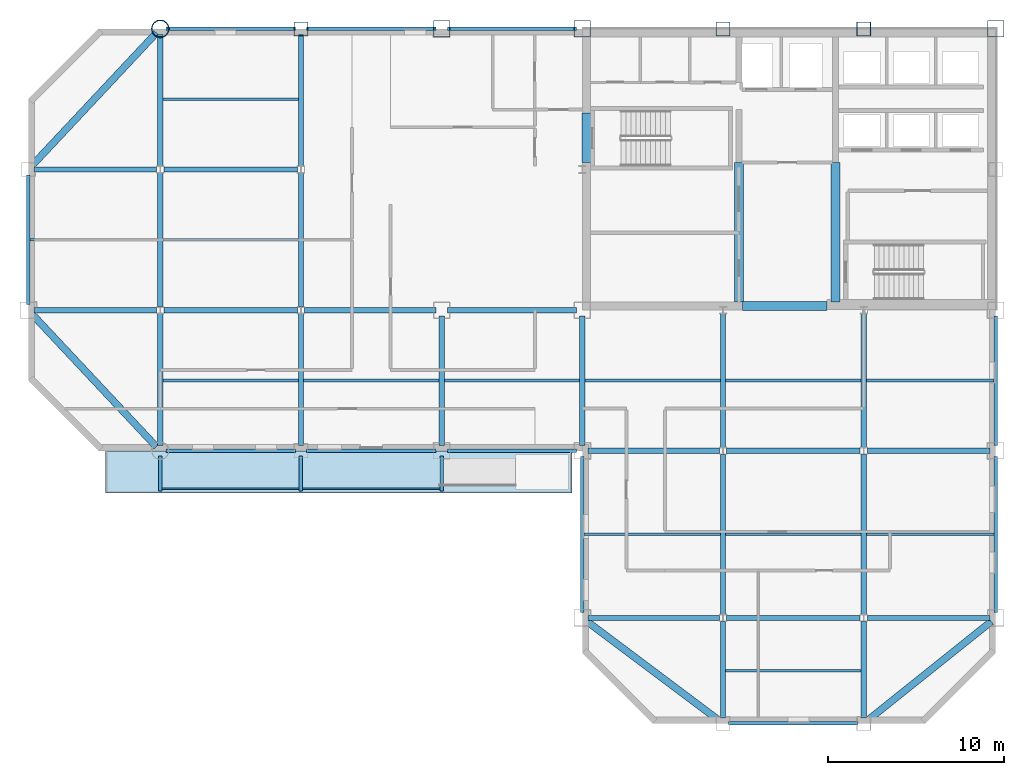
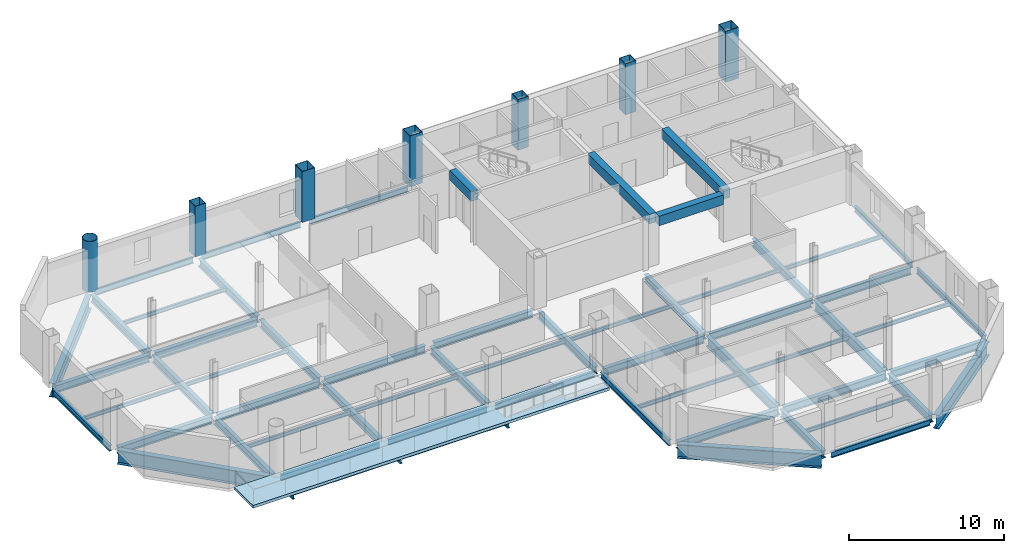
# One storey, part 3 of 10: 63 beams, 7 columns, 1 slab.
"""IFC4 building model written with IfcOpenShell, lengths in metres."""

import ifcopenshell
import ifcopenshell.guid

model = None  # the IFC model being written
_history = None  # IfcOwnerHistory: only IFC2X3 demands one
_inside = {}  # id of a spatial element -> (the spatial element, [elements in it])
_under = {}  # id of a project, library or spatial element -> (it, [spatial elements below it])
_declared = {}  # id of a project -> (the project, [libraries it declares])
_typed = {}  # id of a type object -> (the type object, [elements of that type])
_made_of = {}  # id of a material, layer set ... -> (it, [elements and type objects made of it])


def new_model(schema):
    """Start an empty IFC model of exactly this schema.

    Asked for "IFC4X3", IfcOpenShell would pick the latest addendum, in which some entities
    have other attributes; the version numbers below select the first issue.
    IFC2X3 requires an IfcOwnerHistory on every rooted entity: one is made here for all.
    """
    global model, _history
    if schema == "IFC4X3":
        model = ifcopenshell.file(schema_version=(4, 3, 0, 0))
    else:
        model = ifcopenshell.file(schema=schema)
    _inside.clear()
    _under.clear()
    _declared.clear()
    _typed.clear()
    _made_of.clear()
    _history = None
    if model.schema == "IFC2X3":
        org = make("IfcOrganization", Name="unknown")
        user = make(
            "IfcPersonAndOrganization",
            ThePerson=make("IfcPerson", FamilyName="unknown"),
            TheOrganization=org,
        )
        app = make(
            "IfcApplication",
            ApplicationDeveloper=org,
            Version="unknown",
            ApplicationFullName="unknown",
            ApplicationIdentifier="unknown",
        )
        _history = make(
            "IfcOwnerHistory",
            OwningUser=user,
            OwningApplication=app,
            ChangeAction="ADDED",
            CreationDate=0,
        )
    return model


def make(cls, **values):
    """One entity of the class cls with the attributes given. An attribute that is None is left unset."""
    return model.create_entity(
        cls, **{name: value for name, value in values.items() if value is not None}
    )


def rooted(cls, **values):
    """An entity with a GlobalId (a new one), such as an element, a storey or a relation."""
    return make(cls, GlobalId=ifcopenshell.guid.new(), OwnerHistory=_history, **values)


def si_unit(unit_type, name, prefix=None):
    """IfcSIUnit, for example si_unit("LENGTHUNIT", "METRE", prefix="MILLI")."""
    return make("IfcSIUnit", UnitType=unit_type, Prefix=prefix, Name=name)


def assignment(units):
    """IfcUnitAssignment: the units of a project."""
    return None if units is None else make("IfcUnitAssignment", Units=units)


def point(xyz):
    """IfcCartesianPoint."""
    return None if xyz is None else make("IfcCartesianPoint", Coordinates=xyz)


def direction(xyz):
    """IfcDirection."""
    return None if xyz is None else make("IfcDirection", DirectionRatios=xyz)


def frame(location, z_axis=None, x_axis=None):
    """IfcAxis2Placement3D, a coordinate frame: its origin and axes. An axis left out is left unset."""
    return make(
        "IfcAxis2Placement3D",
        Location=point(location),
        Axis=direction(z_axis),
        RefDirection=direction(x_axis),
    )


def frame_2d(location, x_axis=None):
    """IfcAxis2Placement2D, a coordinate frame in the plane: its origin and x axis."""
    return make(
        "IfcAxis2Placement2D", Location=point(location), RefDirection=direction(x_axis)
    )


def origin():
    """The frame at (0, 0, 0) with its axes left unset."""
    return frame((0.0, 0.0, 0.0))


def origin_2d():
    """The frame at (0, 0) in the plane with its x axis left unset."""
    return frame_2d((0.0, 0.0))


def place(relative_to, where):
    """IfcLocalPlacement: puts the frame where relative to a parent placement (None: the world)."""
    return make(
        "IfcLocalPlacement", PlacementRelTo=relative_to, RelativePlacement=where
    )


def context(
    kind, dimensions, precision=None, world=None, true_north=None, identifier=None
):
    """IfcGeometricRepresentationContext, for example the 3D "Model" context."""
    return make(
        "IfcGeometricRepresentationContext",
        ContextIdentifier=identifier,
        ContextType=kind,
        CoordinateSpaceDimension=dimensions,
        Precision=precision,
        WorldCoordinateSystem=world,
        TrueNorth=true_north,
    )


def subcontext(parent, identifier, kind, view, scale=None):
    """IfcGeometricRepresentationSubContext, for example "Body" below "Model"."""
    return make(
        "IfcGeometricRepresentationSubContext",
        ContextIdentifier=identifier,
        ContextType=kind,
        ParentContext=parent,
        TargetScale=scale,
        TargetView=view,
    )


def project(units=None, contexts=None):
    """IfcProject with its units and contexts."""
    return rooted(
        "IfcProject",
        Name="project",
        RepresentationContexts=contexts,
        UnitsInContext=assignment(units),
    )


def spatial(cls, under=None, at=None, **own):
    """A site, building, storey or space (cls), placed at a placement, below another one or the project."""
    s = rooted(cls, ObjectPlacement=at, **own)
    if under is not None:
        _under.setdefault(under.id(), (under, []))[1].append(s)
    return s


def polyline(points):
    """IfcPolyline through the points."""
    return make("IfcPolyline", Points=[point(p) for p in points])


def profile(cls, at=None, kind="AREA", **sizes):
    """A parametric profile (cls). Its sizes go by their IFC names, for example OverallWidth=200.0."""
    return make(cls, ProfileType=kind, Position=at, **sizes)


def rectangle(**sizes):
    """IfcRectangleProfileDef."""
    return profile("IfcRectangleProfileDef", **sizes)


def hollow_rectangle(**sizes):
    """IfcRectangleHollowProfileDef."""
    return profile("IfcRectangleHollowProfileDef", **sizes)


def hollow_circle(**sizes):
    """IfcCircleHollowProfileDef."""
    return profile("IfcCircleHollowProfileDef", **sizes)


def i_section(**sizes):
    """IfcIShapeProfileDef."""
    return profile("IfcIShapeProfileDef", **sizes)


def outline(outer, holes=None, kind="AREA"):
    """IfcArbitraryClosedProfileDef: a profile drawn as a closed curve; with holes, ...WithVoids."""
    if holes is None:
        return make("IfcArbitraryClosedProfileDef", ProfileType=kind, OuterCurve=outer)
    return make(
        "IfcArbitraryProfileDefWithVoids",
        ProfileType=kind,
        OuterCurve=outer,
        InnerCurves=holes,
    )


def extrude(swept, where, along, depth):
    """IfcExtrudedAreaSolid: the profile swept, set in the frame where, extruded along a direction by depth."""
    return make(
        "IfcExtrudedAreaSolid",
        SweptArea=swept,
        Position=where,
        ExtrudedDirection=direction(along),
        Depth=depth,
    )


def shape(context_of_items, identifier, shape_type, items):
    """IfcShapeRepresentation: the items that make up one representation, for example the "Body"."""
    return make(
        "IfcShapeRepresentation",
        ContextOfItems=context_of_items,
        RepresentationIdentifier=identifier,
        RepresentationType=shape_type,
        Items=items,
    )


def material(Name=None, Category=None):
    """IfcMaterial."""
    return make("IfcMaterial", Name=Name, Category=Category)


def layer(
    of_material, thickness, ventilated=None, Name=None, Category=None, Priority=None
):
    """IfcMaterialLayer: one layer of a wall or slab, of a material (None: an air gap)."""
    return make(
        "IfcMaterialLayer",
        Material=of_material,
        LayerThickness=thickness,
        IsVentilated=ventilated,
        Name=Name,
        Category=Category,
        Priority=Priority,
    )


def layer_set(layers, Name=None):
    """IfcMaterialLayerSet."""
    return make("IfcMaterialLayerSet", MaterialLayers=layers, LayerSetName=Name)


def material_profile(
    of_material, cross_section, Name=None, Category=None, Priority=None
):
    """IfcMaterialProfile: a cross section and its material."""
    return make(
        "IfcMaterialProfile",
        Name=Name,
        Material=of_material,
        Profile=cross_section,
        Priority=Priority,
        Category=Category,
    )


def profile_set(profiles, Name=None, composite=None):
    """IfcMaterialProfileSet."""
    return make(
        "IfcMaterialProfileSet",
        Name=Name,
        MaterialProfiles=profiles,
        CompositeProfile=composite,
    )


def made_of(thing, what):
    """Note that an element or type object is made of a material, layer set ...; save() writes the relation."""
    if what is not None:
        _made_of.setdefault(what.id(), (what, []))[1].append(thing)
    return thing


def type_object(cls, material=None, **own):
    """A type object (cls), such as IfcWallType, which elements share."""
    return made_of(rooted(cls, **own), material)


def element(
    cls,
    number,
    at=None,
    inside=None,
    cuts=None,
    type_object=None,
    material=None,
    context=None,
    identifier="Body",
    shape_type=None,
    held_by="IfcProductDefinitionShape",
    body=None,
    shapes=None,
    **own,
):
    """One element of the class cls, such as IfcWall. Its Tag is "e" and its number.

    at: its placement. inside: the storey or other place that contains it. cuts: it is an
    opening in that element (IfcRelVoidsElement). A single representation is given by context,
    identifier, shape_type and body (its items); several are given by shapes. held_by: the class
    of the entity that holds the representations. save() writes the other relations.
    """
    e = rooted(cls, Tag="e%d" % number, ObjectPlacement=at, **own)
    if body is not None:
        shapes = [shape(context, identifier, shape_type, body)]
    if shapes is not None:
        e.Representation = make(held_by, Representations=shapes)
    if inside is not None:
        _inside.setdefault(inside.id(), (inside, []))[1].append(e)
    if cuts is not None:
        rooted(
            "IfcRelVoidsElement", RelatingBuildingElement=cuts, RelatedOpeningElement=e
        )
    if type_object is not None:
        _typed.setdefault(type_object.id(), (type_object, []))[1].append(e)
    return made_of(e, material)


def aggregate(whole, parts):
    """IfcRelAggregates: a whole, such as a stair, and the parts it consists of."""
    return rooted("IfcRelAggregates", RelatingObject=whole, RelatedObjects=parts)


def save(model, path):
    """Write the relations noted so far, then the file.

    IfcRelAggregates (storeys below a building ...), IfcRelContainedInSpatialStructure (elements
    in a storey), IfcRelDefinesByType, IfcRelAssociatesMaterial and IfcRelDeclares: one each for
    every whole, place, type object, material and project.
    """
    for whole, parts in _under.values():
        aggregate(whole, parts)
    for where, things in _inside.values():
        rooted(
            "IfcRelContainedInSpatialStructure",
            RelatedElements=things,
            RelatingStructure=where,
        )
    for kind, things in _typed.values():
        rooted("IfcRelDefinesByType", RelatedObjects=things, RelatingType=kind)
    for what, things in _made_of.values():
        rooted("IfcRelAssociatesMaterial", RelatedObjects=things, RelatingMaterial=what)
    for by, libraries in _declared.values():
        rooted("IfcRelDeclares", RelatingContext=by, RelatedDefinitions=libraries)
    model.write(path)


model = new_model("IFC4")

# Units and contexts
model_context = context("Model", 3, precision=1e-05, world=origin(), true_north=direction((0.0, 1.0)))
body_context = subcontext(model_context, "Body", "Model", "MODEL_VIEW")
ifc_project = project(units=[si_unit("LENGTHUNIT", "METRE"), si_unit("AREAUNIT", "SQUARE_METRE"), si_unit("VOLUMEUNIT", "CUBIC_METRE"), si_unit("PLANEANGLEUNIT", "RADIAN"), si_unit("MASSUNIT", "GRAM", prefix="KILO")], contexts=[model_context])

# Site, building, storey
site_placement = place(None, origin())
site = spatial("IfcSite", under=ifc_project, at=site_placement, CompositionType="ELEMENT")
building_placement = place(site_placement, origin())
building = spatial("IfcBuilding", under=site, at=building_placement, Name="Qianrong Seaharbour Tower", CompositionType="ELEMENT")
storey_placement = place(building_placement, frame((0.0, 0.0, 237.800048828125)))
storey = spatial("IfcBuildingStorey", under=building, at=storey_placement, Name="L57", CompositionType="ELEMENT", Elevation=237.800048828125)

# Columns
ifc_material_1 = material(Name="Structural steel SN490B", Category="steel")
ifc_material_profile_1 = material_profile(ifc_material_1, hollow_rectangle(XDim=0.949951171875, YDim=0.949951171875, WallThickness=0.035888671875, at=origin_2d()), Name="BOX950x950x36")
ifc_profile_set_1 = profile_set([ifc_material_profile_1], Name="Structural steel SN490B")
column_type_1 = type_object("IfcColumnType", Name="COL-CFT-950", PredefinedType="COLUMN", material=ifc_profile_set_1)
for number, where, z_axis, x_axis, name in (
    (1, (32.5, 52.0, 0.0), (0.0, 0.0, 1.0), (1.0, 0.0, 0.0), "L57 Column MC-4 at G5/GH"),
    (2, (40.5, 52.0, 0.0), (0.0, 0.0, 1.0), (1.0, 0.0, 0.0), "L57 Column MC-4 at G6/GH"),
    (3, (64.0, 52.0, 0.0), (0.0, 0.0, 1.0), (1.0, 0.0, 0.0), "L57 Column MC-4 at G9/GH"),
):
    element("IfcColumn", number, at=place(storey_placement, frame(where, z_axis=z_axis, x_axis=x_axis)), inside=storey, type_object=column_type_1, Name=name, PredefinedType="COLUMN", context=body_context, shape_type="SweptSolid", body=[
        extrude(hollow_rectangle(XDim=0.949951171875, YDim=0.949951171875, WallThickness=0.035888671875, at=origin_2d()), origin(), (0.0, 0.0, 1.0), 4.0),
    ])
ifc_material_profile_2 = material_profile(ifc_material_1, hollow_circle(Radius=0.5, WallThickness=0.035888671875, at=origin_2d()), Name="CHS1000x36")
ifc_profile_set_2 = profile_set([ifc_material_profile_2], Name="Structural steel SN490B")
column_type_2 = type_object("IfcColumnType", Name="COL-CHS-1000", PredefinedType="COLUMN", material=ifc_profile_set_2)
column_placement = place(storey_placement, frame((16.5, 52.0, 0.0), z_axis=(0.0, 0.0, 1.0), x_axis=(1.0, 0.0, 0.0)))
element("IfcColumn", 4, at=column_placement, inside=storey, type_object=column_type_2, Name="L57 Column CC-2 at G3/GH", PredefinedType="COLUMN", context=body_context, shape_type="SweptSolid", body=[
    extrude(hollow_circle(Radius=0.5, WallThickness=0.035888671875, at=origin_2d()), origin(), (0.0, 0.0, 1.0), 4.0),
])
ifc_material_profile_3 = material_profile(ifc_material_1, hollow_rectangle(XDim=0.800048828125, YDim=0.800048828125, WallThickness=0.031982421875, at=origin_2d()), Name="BOX800x800x32")
ifc_profile_set_3 = profile_set([ifc_material_profile_3], Name="Structural steel SN490B")
column_type_3 = type_object("IfcColumnType", Name="COL-PER-800", PredefinedType="COLUMN", material=ifc_profile_set_3)
for number, where, z_axis, x_axis, name in (
    (5, (24.5, 52.0, 0.0), (0.0, 0.0, 1.0), (1.0, 0.0, 0.0), "L57 Column PC-3 at G4/GH"),
    (6, (48.5, 52.0, 0.0), (0.0, 0.0, 1.0), (1.0, 0.0, 0.0), "L57 Column PC-3 at G7/GH"),
    (7, (56.5, 52.0, 0.0), (0.0, 0.0, 1.0), (1.0, 0.0, 0.0), "L57 Column PC-3 at G8/GH"),
):
    element("IfcColumn", number, at=place(storey_placement, frame(where, z_axis=z_axis, x_axis=x_axis)), inside=storey, type_object=column_type_3, Name=name, PredefinedType="COLUMN", context=body_context, shape_type="SweptSolid", body=[
        extrude(hollow_rectangle(XDim=0.800048828125, YDim=0.800048828125, WallThickness=0.031982421875, at=origin_2d()), origin(), (0.0, 0.0, 1.0), 4.0),
    ])

# Beams
ifc_material_profile_4 = material_profile(ifc_material_1, i_section(OverallWidth=0.300048828125, OverallDepth=0.587890625, WebThickness=0.011962890625, FlangeThickness=0.02001953125, FilletRadius=0.02392578125, at=origin_2d()), Name="H588x300x12x20")
ifc_profile_set_4 = profile_set([ifc_material_profile_4], Name="Structural steel SN490B")
beam_type_1 = type_object("IfcBeamType", Name="BM-G-588", PredefinedType="BEAM", material=ifc_profile_set_4)
beam_1_placement = place(storey_placement, frame((40.820068359375, 18.5, -0.51904296875), z_axis=(1.0, 0.0, 0.0), x_axis=(0.0, 1.0, 0.0)))
element("IfcBeam", 8, at=beam_1_placement, inside=storey, type_object=beam_type_1, Name="L57 Primary Girder GD G6-G7", PredefinedType="BEAM", context=body_context, shape_type="SweptSolid", body=[
    extrude(i_section(OverallWidth=0.300048828125, OverallDepth=0.587890625, WebThickness=0.011962890625, FlangeThickness=0.02001953125, FilletRadius=0.02392578125, at=origin_2d()), origin(), (0.0, 0.0, 1.0), 7.47998046875),
])
beam_2_placement = place(storey_placement, frame((48.699951171875, 18.5, -0.51904296875), z_axis=(1.0, 0.0, 0.0), x_axis=(0.0, 1.0, 0.0)))
element("IfcBeam", 9, at=beam_2_placement, inside=storey, type_object=beam_type_1, Name="L57 Primary Girder GD G7-G8", PredefinedType="BEAM", context=body_context, shape_type="SweptSolid", body=[
    extrude(i_section(OverallWidth=0.300048828125, OverallDepth=0.587890625, WebThickness=0.011962890625, FlangeThickness=0.02001953125, FilletRadius=0.02392578125, at=origin_2d()), origin(), (0.0, 0.0, 1.0), 7.60009765625),
])
beam_3_placement = place(storey_placement, frame((56.699951171875, 18.5, -0.51904296875), z_axis=(1.0, 0.0, 0.0), x_axis=(0.0, 1.0, 0.0)))
element("IfcBeam", 10, at=beam_3_placement, inside=storey, type_object=beam_type_1, Name="L57 Primary Girder GD G8-G9", PredefinedType="BEAM", context=body_context, shape_type="SweptSolid", body=[
    extrude(i_section(OverallWidth=0.300048828125, OverallDepth=0.587890625, WebThickness=0.011962890625, FlangeThickness=0.02001953125, FilletRadius=0.02392578125, at=origin_2d()), origin(), (0.0, 0.0, 1.0), 6.97998046875),
])
beam_4_placement = place(storey_placement, frame((40.820068359375, 28.0, -0.51904296875), z_axis=(1.0, 0.0, 0.0), x_axis=(0.0, 1.0, 0.0)))
element("IfcBeam", 11, at=beam_4_placement, inside=storey, type_object=beam_type_1, Name="L57 Primary Girder GE G6-G7", PredefinedType="BEAM", context=body_context, shape_type="SweptSolid", body=[
    extrude(i_section(OverallWidth=0.300048828125, OverallDepth=0.587890625, WebThickness=0.011962890625, FlangeThickness=0.02001953125, FilletRadius=0.02392578125, at=origin_2d()), origin(), (0.0, 0.0, 1.0), 7.47998046875),
])
beam_5_placement = place(storey_placement, frame((48.699951171875, 28.0, -0.51904296875), z_axis=(1.0, 0.0, 0.0), x_axis=(0.0, 1.0, 0.0)))
element("IfcBeam", 12, at=beam_5_placement, inside=storey, type_object=beam_type_1, Name="L57 Primary Girder GE G7-G8", PredefinedType="BEAM", context=body_context, shape_type="SweptSolid", body=[
    extrude(i_section(OverallWidth=0.300048828125, OverallDepth=0.587890625, WebThickness=0.011962890625, FlangeThickness=0.02001953125, FilletRadius=0.02392578125, at=origin_2d()), origin(), (0.0, 0.0, 1.0), 7.60009765625),
])
for number, where, z_axis, x_axis, name in (
    (13, (56.699951171875, 28.0, -0.51904296875), (1.0, 0.0, 0.0), (0.0, 1.0, 0.0), "L57 Primary Girder GE G8-G9"),
    (14, (9.320068359375, 36.0, -0.51904296875), (1.0, 0.0, 0.0), (0.0, 1.0, 0.0), "L57 Primary Girder GF G2-G3"),
):
    element("IfcBeam", number, at=place(storey_placement, frame(where, z_axis=z_axis, x_axis=x_axis)), inside=storey, type_object=beam_type_1, Name=name, PredefinedType="BEAM", context=body_context, shape_type="SweptSolid", body=[
        extrude(i_section(OverallWidth=0.300048828125, OverallDepth=0.587890625, WebThickness=0.011962890625, FlangeThickness=0.02001953125, FilletRadius=0.02392578125, at=origin_2d()), origin(), (0.0, 0.0, 1.0), 6.97998046875),
    ])
beam_6_placement = place(storey_placement, frame((16.699951171875, 36.0, -0.51904296875), z_axis=(1.0, 0.0, 0.0), x_axis=(0.0, 1.0, 0.0)))
element("IfcBeam", 15, at=beam_6_placement, inside=storey, type_object=beam_type_1, Name="L57 Primary Girder GF G3-G4", PredefinedType="BEAM", context=body_context, shape_type="SweptSolid", body=[
    extrude(i_section(OverallWidth=0.300048828125, OverallDepth=0.587890625, WebThickness=0.011962890625, FlangeThickness=0.02001953125, FilletRadius=0.02392578125, at=origin_2d()), origin(), (0.0, 0.0, 1.0), 7.60009765625),
])
beam_7_placement = place(storey_placement, frame((24.699951171875, 36.0, -0.51904296875), z_axis=(1.0, 0.0, 0.0), x_axis=(0.0, 1.0, 0.0)))
element("IfcBeam", 16, at=beam_7_placement, inside=storey, type_object=beam_type_1, Name="L57 Primary Girder GF G4-G5", PredefinedType="BEAM", context=body_context, shape_type="SweptSolid", body=[
    extrude(i_section(OverallWidth=0.300048828125, OverallDepth=0.587890625, WebThickness=0.011962890625, FlangeThickness=0.02001953125, FilletRadius=0.02392578125, at=origin_2d()), origin(), (0.0, 0.0, 1.0), 7.47998046875),
])
beam_8_placement = place(storey_placement, frame((32.820068359375, 36.0, -0.51904296875), z_axis=(1.0, 0.0, 0.0), x_axis=(0.0, 1.0, 0.0)))
element("IfcBeam", 17, at=beam_8_placement, inside=storey, type_object=beam_type_1, Name="L57 Primary Girder GF G5-G6", PredefinedType="BEAM", context=body_context, shape_type="SweptSolid", body=[
    extrude(i_section(OverallWidth=0.300048828125, OverallDepth=0.587890625, WebThickness=0.011962890625, FlangeThickness=0.02001953125, FilletRadius=0.02392578125, at=origin_2d()), origin(), (0.0, 0.0, 1.0), 7.35986328125),
])
beam_9_placement = place(storey_placement, frame((9.320068359375, 44.0, -0.51904296875), z_axis=(1.0, 0.0, 0.0), x_axis=(0.0, 1.0, 0.0)))
element("IfcBeam", 18, at=beam_9_placement, inside=storey, type_object=beam_type_1, Name="L57 Primary Girder GG G2-G3", PredefinedType="BEAM", context=body_context, shape_type="SweptSolid", body=[
    extrude(i_section(OverallWidth=0.300048828125, OverallDepth=0.587890625, WebThickness=0.011962890625, FlangeThickness=0.02001953125, FilletRadius=0.02392578125, at=origin_2d()), origin(), (0.0, 0.0, 1.0), 6.97998046875),
])
beam_10_placement = place(storey_placement, frame((16.699951171875, 44.0, -0.51904296875), z_axis=(1.0, 0.0, 0.0), x_axis=(0.0, 1.0, 0.0)))
element("IfcBeam", 19, at=beam_10_placement, inside=storey, type_object=beam_type_1, Name="L57 Primary Girder GG G3-G4", PredefinedType="BEAM", context=body_context, shape_type="SweptSolid", body=[
    extrude(i_section(OverallWidth=0.300048828125, OverallDepth=0.587890625, WebThickness=0.011962890625, FlangeThickness=0.02001953125, FilletRadius=0.02392578125, at=origin_2d()), origin(), (0.0, 0.0, 1.0), 7.60009765625),
])
beam_11_placement = place(storey_placement, frame((16.5, 28.320068359375, -0.51904296875), z_axis=(0.0, 1.0, 0.0), x_axis=(-1.0, 0.0, 0.0)))
element("IfcBeam", 20, at=beam_11_placement, inside=storey, type_object=beam_type_1, Name="L57 Primary Girder G3 GE-GF", PredefinedType="BEAM", context=body_context, shape_type="SweptSolid", body=[
    extrude(i_section(OverallWidth=0.300048828125, OverallDepth=0.587890625, WebThickness=0.011962890625, FlangeThickness=0.02001953125, FilletRadius=0.02392578125, at=origin_2d()), origin(), (0.0, 0.0, 1.0), 7.47998046875),
])
beam_12_placement = place(storey_placement, frame((16.5, 36.199951171875, -0.51904296875), z_axis=(0.0, 1.0, 0.0), x_axis=(-1.0, 0.0, 0.0)))
element("IfcBeam", 21, at=beam_12_placement, inside=storey, type_object=beam_type_1, Name="L57 Primary Girder G3 GF-GG", PredefinedType="BEAM", context=body_context, shape_type="SweptSolid", body=[
    extrude(i_section(OverallWidth=0.300048828125, OverallDepth=0.587890625, WebThickness=0.011962890625, FlangeThickness=0.02001953125, FilletRadius=0.02392578125, at=origin_2d()), origin(), (0.0, 0.0, 1.0), 7.60009765625),
])
for number, where, z_axis, x_axis, name in (
    (22, (16.5, 44.199951171875, -0.51904296875), (0.0, 1.0, 0.0), (-1.0, 0.0, 0.0), "L57 Primary Girder G3 GG-GH"),
    (23, (24.5, 28.320068359375, -0.51904296875), (0.0, 1.0, 0.0), (-1.0, 0.0, 0.0), "L57 Primary Girder G4 GE-GF"),
):
    element("IfcBeam", number, at=place(storey_placement, frame(where, z_axis=z_axis, x_axis=x_axis)), inside=storey, type_object=beam_type_1, Name=name, PredefinedType="BEAM", context=body_context, shape_type="SweptSolid", body=[
        extrude(i_section(OverallWidth=0.300048828125, OverallDepth=0.587890625, WebThickness=0.011962890625, FlangeThickness=0.02001953125, FilletRadius=0.02392578125, at=origin_2d()), origin(), (0.0, 0.0, 1.0), 7.47998046875),
    ])
beam_13_placement = place(storey_placement, frame((24.5, 36.199951171875, -0.51904296875), z_axis=(0.0, 1.0, 0.0), x_axis=(-1.0, 0.0, 0.0)))
element("IfcBeam", 24, at=beam_13_placement, inside=storey, type_object=beam_type_1, Name="L57 Primary Girder G4 GF-GG", PredefinedType="BEAM", context=body_context, shape_type="SweptSolid", body=[
    extrude(i_section(OverallWidth=0.300048828125, OverallDepth=0.587890625, WebThickness=0.011962890625, FlangeThickness=0.02001953125, FilletRadius=0.02392578125, at=origin_2d()), origin(), (0.0, 0.0, 1.0), 7.60009765625),
])
beam_14_placement = place(storey_placement, frame((24.5, 44.199951171875, -0.51904296875), z_axis=(0.0, 1.0, 0.0), x_axis=(-1.0, 0.0, 0.0)))
element("IfcBeam", 25, at=beam_14_placement, inside=storey, type_object=beam_type_1, Name="L57 Primary Girder G4 GG-GH", PredefinedType="BEAM", context=body_context, shape_type="SweptSolid", body=[
    extrude(i_section(OverallWidth=0.300048828125, OverallDepth=0.587890625, WebThickness=0.011962890625, FlangeThickness=0.02001953125, FilletRadius=0.02392578125, at=origin_2d()), origin(), (0.0, 0.0, 1.0), 7.47998046875),
])
for number, where, z_axis, x_axis, name in (
    (26, (32.5, 28.320068359375, -0.51904296875), (0.0, 1.0, 0.0), (-1.0, 0.0, 0.0), "L57 Primary Girder G5 GE-GF"),
    (27, (40.5, 28.320068359375, -0.51904296875), (0.0, 1.0, 0.0), (-1.0, 0.0, 0.0), "L57 Primary Girder G6 GE-GF"),
):
    element("IfcBeam", number, at=place(storey_placement, frame(where, z_axis=z_axis, x_axis=x_axis)), inside=storey, type_object=beam_type_1, Name=name, PredefinedType="BEAM", context=body_context, shape_type="SweptSolid", body=[
        extrude(i_section(OverallWidth=0.300048828125, OverallDepth=0.587890625, WebThickness=0.011962890625, FlangeThickness=0.02001953125, FilletRadius=0.02392578125, at=origin_2d()), origin(), (0.0, 0.0, 1.0), 7.35986328125),
    ])
beam_15_placement = place(storey_placement, frame((48.5, 12.820068359375, -0.51904296875), z_axis=(0.0, 1.0, 0.0), x_axis=(-1.0, 0.0, 0.0)))
element("IfcBeam", 28, at=beam_15_placement, inside=storey, type_object=beam_type_1, Name="L57 Primary Girder G7 GC-GD", PredefinedType="BEAM", context=body_context, shape_type="SweptSolid", body=[
    extrude(i_section(OverallWidth=0.300048828125, OverallDepth=0.587890625, WebThickness=0.011962890625, FlangeThickness=0.02001953125, FilletRadius=0.02392578125, at=origin_2d()), origin(), (0.0, 0.0, 1.0), 5.47998046875),
])
beam_16_placement = place(storey_placement, frame((48.5, 28.199951171875, -0.51904296875), z_axis=(0.0, 1.0, 0.0), x_axis=(-1.0, 0.0, 0.0)))
element("IfcBeam", 29, at=beam_16_placement, inside=storey, type_object=beam_type_1, Name="L57 Primary Girder G7 GE-GF", PredefinedType="BEAM", context=body_context, shape_type="SweptSolid", body=[
    extrude(i_section(OverallWidth=0.300048828125, OverallDepth=0.587890625, WebThickness=0.011962890625, FlangeThickness=0.02001953125, FilletRadius=0.02392578125, at=origin_2d()), origin(), (0.0, 0.0, 1.0), 7.60009765625),
])
beam_17_placement = place(storey_placement, frame((56.5, 12.820068359375, -0.51904296875), z_axis=(0.0, 1.0, 0.0), x_axis=(-1.0, 0.0, 0.0)))
element("IfcBeam", 30, at=beam_17_placement, inside=storey, type_object=beam_type_1, Name="L57 Primary Girder G8 GC-GD", PredefinedType="BEAM", context=body_context, shape_type="SweptSolid", body=[
    extrude(i_section(OverallWidth=0.300048828125, OverallDepth=0.587890625, WebThickness=0.011962890625, FlangeThickness=0.02001953125, FilletRadius=0.02392578125, at=origin_2d()), origin(), (0.0, 0.0, 1.0), 5.47998046875),
])
beam_18_placement = place(storey_placement, frame((56.5, 28.199951171875, -0.51904296875), z_axis=(0.0, 1.0, 0.0), x_axis=(-1.0, 0.0, 0.0)))
element("IfcBeam", 31, at=beam_18_placement, inside=storey, type_object=beam_type_1, Name="L57 Primary Girder G8 GE-GF", PredefinedType="BEAM", context=body_context, shape_type="SweptSolid", body=[
    extrude(i_section(OverallWidth=0.300048828125, OverallDepth=0.587890625, WebThickness=0.011962890625, FlangeThickness=0.02001953125, FilletRadius=0.02392578125, at=origin_2d()), origin(), (0.0, 0.0, 1.0), 7.60009765625),
])
ifc_material_profile_5 = material_profile(ifc_material_1, i_section(OverallWidth=0.300048828125, OverallDepth=0.800048828125, WebThickness=0.013916015625, FlangeThickness=0.02587890625, FilletRadius=0.028076171875, at=origin_2d()), Name="H800x300x14x26")
ifc_profile_set_5 = profile_set([ifc_material_profile_5], Name="Structural steel SN490B")
beam_type_2 = type_object("IfcBeamType", Name="BM-G-800", PredefinedType="BEAM", material=ifc_profile_set_5)
for number, where, z_axis, x_axis, name in (
    (32, (48.5, 18.699951171875, -0.625), (0.0, 1.0, 0.0), (-1.0, 0.0, 0.0), "L57 Primary Girder G7 GD-GE"),
    (33, (56.5, 18.699951171875, -0.625), (0.0, 1.0, 0.0), (-1.0, 0.0, 0.0), "L57 Primary Girder G8 GD-GE"),
):
    element("IfcBeam", number, at=place(storey_placement, frame(where, z_axis=z_axis, x_axis=x_axis)), inside=storey, type_object=beam_type_2, Name=name, PredefinedType="BEAM", context=body_context, shape_type="SweptSolid", body=[
        extrude(i_section(OverallWidth=0.300048828125, OverallDepth=0.800048828125, WebThickness=0.013916015625, FlangeThickness=0.02587890625, FilletRadius=0.028076171875, at=origin_2d()), origin(), (0.0, 0.0, 1.0), 9.10009765625),
    ])
ifc_material_2 = material(Name="Structural steel SN400B", Category="steel")
ifc_material_profile_6 = material_profile(ifc_material_2, i_section(OverallWidth=0.14990234375, OverallDepth=0.300048828125, WebThickness=0.006591796875, FlangeThickness=0.009033203125, FilletRadius=0.012939453125, at=origin_2d()), Name="H300x150x6.5x9")
ifc_profile_set_6 = profile_set([ifc_material_profile_6], Name="Structural steel SN400B")
beam_type_3 = type_object("IfcBeamType", Name="BM-J-300", PredefinedType="JOIST", material=ifc_profile_set_6)
beam_19_placement = place(storey_placement, frame((9.10009765625, 40.0, -0.375), z_axis=(1.0, 0.0, 0.0), x_axis=(0.0, 1.0, 0.0)))
element("IfcBeam", 34, at=beam_19_placement, inside=storey, type_object=beam_type_3, Name="L57 Composite Floor Joist G2-G3/GF-GG", PredefinedType="JOIST", context=body_context, shape_type="SweptSolid", body=[
    extrude(i_section(OverallWidth=0.14990234375, OverallDepth=0.300048828125, WebThickness=0.006591796875, FlangeThickness=0.009033203125, FilletRadius=0.012939453125, at=origin_2d()), origin(), (0.0, 0.0, 1.0), 7.25),
])
for number, where, z_axis, x_axis, name in (
    (35, (16.64990234375, 32.0, -0.375), (1.0, 0.0, 0.0), (0.0, 1.0, 0.0), "L57 Composite Floor Joist G3-G4/GE-GF"),
    (36, (16.64990234375, 40.0, -0.375), (1.0, 0.0, 0.0), (0.0, 1.0, 0.0), "L57 Composite Floor Joist G3-G4/GF-GG"),
    (37, (16.64990234375, 48.0, -0.375), (1.0, 0.0, 0.0), (0.0, 1.0, 0.0), "L57 Composite Floor Joist G3-G4/GG-GH"),
    (38, (24.64990234375, 32.0, -0.375), (1.0, 0.0, 0.0), (0.0, 1.0, 0.0), "L57 Composite Floor Joist G4-G5/GE-GF"),
    (39, (32.64990234375, 32.0, -0.375), (1.0, 0.0, 0.0), (0.0, 1.0, 0.0), "L57 Composite Floor Joist G5-G6/GE-GF"),
):
    element("IfcBeam", number, at=place(storey_placement, frame(where, z_axis=z_axis, x_axis=x_axis)), inside=storey, type_object=beam_type_3, Name=name, PredefinedType="JOIST", context=body_context, shape_type="SweptSolid", body=[
        extrude(i_section(OverallWidth=0.14990234375, OverallDepth=0.300048828125, WebThickness=0.006591796875, FlangeThickness=0.009033203125, FilletRadius=0.012939453125, at=origin_2d()), origin(), (0.0, 0.0, 1.0), 7.7001953125),
    ])
beam_20_placement = place(storey_placement, frame((40.60009765625, 23.25, -0.375), z_axis=(1.0, 0.0, 0.0), x_axis=(0.0, 1.0, 0.0)))
element("IfcBeam", 40, at=beam_20_placement, inside=storey, type_object=beam_type_3, Name="L57 Composite Floor Joist G6-G7/GD-GE", PredefinedType="JOIST", context=body_context, shape_type="SweptSolid", body=[
    extrude(i_section(OverallWidth=0.14990234375, OverallDepth=0.300048828125, WebThickness=0.006591796875, FlangeThickness=0.009033203125, FilletRadius=0.012939453125, at=origin_2d()), origin(), (0.0, 0.0, 1.0), 7.75),
])
for number, where, z_axis, x_axis, name in (
    (41, (40.64990234375, 32.0, -0.375), (1.0, 0.0, 0.0), (0.0, 1.0, 0.0), "L57 Composite Floor Joist G6-G7/GE-GF"),
    (42, (48.64990234375, 15.5, -0.375), (1.0, 0.0, 0.0), (0.0, 1.0, 0.0), "L57 Composite Floor Joist G7-G8/GC-GD"),
    (43, (48.64990234375, 23.25, -0.375), (1.0, 0.0, 0.0), (0.0, 1.0, 0.0), "L57 Composite Floor Joist G7-G8/GD-GE"),
    (44, (48.64990234375, 32.0, -0.375), (1.0, 0.0, 0.0), (0.0, 1.0, 0.0), "L57 Composite Floor Joist G7-G8/GE-GF"),
):
    element("IfcBeam", number, at=place(storey_placement, frame(where, z_axis=z_axis, x_axis=x_axis)), inside=storey, type_object=beam_type_3, Name=name, PredefinedType="JOIST", context=body_context, shape_type="SweptSolid", body=[
        extrude(i_section(OverallWidth=0.14990234375, OverallDepth=0.300048828125, WebThickness=0.006591796875, FlangeThickness=0.009033203125, FilletRadius=0.012939453125, at=origin_2d()), origin(), (0.0, 0.0, 1.0), 7.7001953125),
    ])
for number, where, z_axis, x_axis, name in (
    (45, (56.64990234375, 23.25, -0.375), (1.0, 0.0, 0.0), (0.0, 1.0, 0.0), "L57 Composite Floor Joist G8-G9/GD-GE"),
    (46, (56.64990234375, 32.0, -0.375), (1.0, 0.0, 0.0), (0.0, 1.0, 0.0), "L57 Composite Floor Joist G8-G9/GE-GF"),
):
    element("IfcBeam", number, at=place(storey_placement, frame(where, z_axis=z_axis, x_axis=x_axis)), inside=storey, type_object=beam_type_3, Name=name, PredefinedType="JOIST", context=body_context, shape_type="SweptSolid", body=[
        extrude(i_section(OverallWidth=0.14990234375, OverallDepth=0.300048828125, WebThickness=0.006591796875, FlangeThickness=0.009033203125, FilletRadius=0.012939453125, at=origin_2d()), origin(), (0.0, 0.0, 1.0), 7.25),
    ])
ifc_material_3 = material(Name="Concrete C60/75", Category="concrete")
ifc_material_profile_7 = material_profile(ifc_material_3, rectangle(XDim=0.5, YDim=0.75, at=origin_2d()), Name="RC500x750")
ifc_profile_set_7 = profile_set([ifc_material_profile_7], Name="Concrete C60/75")
beam_type_4 = type_object("IfcBeamType", Name="BM-LINTEL-750", PredefinedType="LINTEL", material=ifc_profile_set_7)
beam_21_placement = place(storey_placement, frame((40.72998046875, 44.39990234375, 3.39990234375), z_axis=(0.0, 1.0, 0.0), x_axis=(-1.0, 0.0, 0.0)))
element("IfcBeam", 47, at=beam_21_placement, inside=storey, type_object=beam_type_4, Name="L57 Core Coupling Lintel Beam West", PredefinedType="LINTEL", context=body_context, shape_type="SweptSolid", body=[
    extrude(rectangle(XDim=0.5, YDim=0.75, at=origin_2d()), origin(), (0.0, 0.0, 1.0), 2.800048828125),
])
beam_22_placement = place(storey_placement, frame((49.60009765625, 36.22998046875, 3.39990234375), z_axis=(1.0, 0.0, 0.0), x_axis=(0.0, 1.0, 0.0)))
element("IfcBeam", 48, at=beam_22_placement, inside=storey, type_object=beam_type_4, Name="L57 Core Coupling Lintel Beam CBC", PredefinedType="LINTEL", context=body_context, shape_type="SweptSolid", body=[
    extrude(rectangle(XDim=0.5, YDim=0.75, at=origin_2d()), origin(), (0.0, 0.0, 1.0), 4.7998046875),
])
for number, where, z_axis, x_axis, name in (
    (49, (49.39990234375, 36.4599609375, 3.39990234375), (0.0, 1.0, 0.0), (-1.0, 0.0, 0.0), "L57 Internal Core Coupling Beam IW1"),
    (50, (54.89990234375, 36.4599609375, 3.39990234375), (0.0, 1.0, 0.0), (-1.0, 0.0, 0.0), "L57 Internal Core Coupling Beam IW2"),
):
    element("IfcBeam", number, at=place(storey_placement, frame(where, z_axis=z_axis, x_axis=x_axis)), inside=storey, type_object=beam_type_4, Name=name, PredefinedType="LINTEL", context=body_context, shape_type="SweptSolid", body=[
        extrude(rectangle(XDim=0.5, YDim=0.75, at=origin_2d()), origin(), (0.0, 0.0, 1.0), 7.93994140625),
    ])
ifc_material_profile_8 = material_profile(ifc_material_2, i_section(OverallWidth=0.10009765625, OverallDepth=0.199951171875, WebThickness=0.005615234375, FlangeThickness=0.008056640625, FilletRadius=0.010986328125, at=origin_2d()), Name="H200x100x5.5x8")
ifc_profile_set_8 = profile_set([ifc_material_profile_8], Name="Structural steel SN400B")
beam_type_5 = type_object("IfcBeamType", Name="BM-PURLIN-200", PredefinedType="JOIST", material=ifc_profile_set_8)
for number, where, z_axis, x_axis, name in (
    (51, (16.60009765625, 25.840087890625, -0.324951171875), (1.0, 0.0, 0.0), (0.0, 1.0, 0.0), "L57 Harbourfront Ribbon Edge Beam G4"),
    (52, (24.60009765625, 25.840087890625, -0.324951171875), (1.0, 0.0, 0.0), (0.0, 1.0, 0.0), "L57 Harbourfront Ribbon Edge Beam G5"),
):
    element("IfcBeam", number, at=place(storey_placement, frame(where, z_axis=z_axis, x_axis=x_axis)), inside=storey, type_object=beam_type_5, Name=name, PredefinedType="JOIST", context=body_context, shape_type="SweptSolid", body=[
        extrude(i_section(OverallWidth=0.10009765625, OverallDepth=0.199951171875, WebThickness=0.005615234375, FlangeThickness=0.008056640625, FilletRadius=0.010986328125, at=origin_2d()), origin(), (0.0, 0.0, 1.0), 7.7998046875),
    ])
ifc_material_profile_9 = material_profile(ifc_material_1, i_section(OverallWidth=0.199951171875, OverallDepth=0.449951171875, WebThickness=0.009033203125, FlangeThickness=0.013916015625, FilletRadius=0.01806640625, at=origin_2d()), Name="H450x200x9x14")
ifc_profile_set_9 = profile_set([ifc_material_profile_9], Name="Structural steel SN490B")
beam_type_6 = type_object("IfcBeamType", Name="BM-RIB-450", PredefinedType="BEAM", material=ifc_profile_set_9)
for number, where, z_axis, x_axis, name in (
    (53, (16.5, 27.699951171875, -0.449951171875), (0.0, -1.0, 0.0), (1.0, 0.0, 0.0), "L57 Harbourfront Ribbon Cantilever Bracket G3"),
    (54, (24.5, 27.699951171875, -0.449951171875), (0.0, -1.0, 0.0), (1.0, 0.0, 0.0), "L57 Harbourfront Ribbon Cantilever Bracket G4"),
    (55, (32.5, 27.699951171875, -0.449951171875), (0.0, -1.0, 0.0), (1.0, 0.0, 0.0), "L57 Harbourfront Ribbon Cantilever Bracket G5"),
):
    element("IfcBeam", number, at=place(storey_placement, frame(where, z_axis=z_axis, x_axis=x_axis)), inside=storey, type_object=beam_type_6, Name=name, PredefinedType="BEAM", context=body_context, shape_type="SweptSolid", body=[
        extrude(i_section(OverallWidth=0.199951171875, OverallDepth=0.449951171875, WebThickness=0.009033203125, FlangeThickness=0.013916015625, FilletRadius=0.01806640625, at=origin_2d()), origin(), (0.0, 0.0, 1.0), 1.97998046875),
    ])
ifc_material_profile_10 = material_profile(ifc_material_2, i_section(OverallWidth=0.199951171875, OverallDepth=0.449951171875, WebThickness=0.009033203125, FlangeThickness=0.013916015625, FilletRadius=0.01806640625, at=origin_2d()), Name="H450x200x9x14")
ifc_profile_set_10 = profile_set([ifc_material_profile_10], Name="Structural steel SN400B")
beam_type_7 = type_object("IfcBeamType", Name="BM-SP-450", PredefinedType="SPANDREL", material=ifc_profile_set_10)
for number, where, z_axis, x_axis, name in (
    (56, (48.820068359375, 12.5, -0.449951171875), (1.0, 0.0, 0.0), (0.0, 1.0, 0.0), "L57 Spandrel Girder GC G7-G8"),
    (57, (16.820068359375, 28.0, -0.449951171875), (1.0, 0.0, 0.0), (0.0, 1.0, 0.0), "L57 Spandrel Girder GE G3-G4"),
    (58, (24.820068359375, 28.0, -0.449951171875), (1.0, 0.0, 0.0), (0.0, 1.0, 0.0), "L57 Spandrel Girder GE G4-G5"),
    (59, (32.820068359375, 28.0, -0.449951171875), (1.0, 0.0, 0.0), (0.0, 1.0, 0.0), "L57 Spandrel Girder GE G5-G6"),
    (60, (16.820068359375, 52.0, -0.449951171875), (1.0, 0.0, 0.0), (0.0, 1.0, 0.0), "L57 Spandrel Girder GH G3-G4"),
    (61, (24.820068359375, 52.0, -0.449951171875), (1.0, 0.0, 0.0), (0.0, 1.0, 0.0), "L57 Spandrel Girder GH G4-G5"),
    (62, (32.820068359375, 52.0, -0.449951171875), (1.0, 0.0, 0.0), (0.0, 1.0, 0.0), "L57 Spandrel Girder GH G5-G6"),
    (63, (9.0, 36.320068359375, -0.449951171875), (0.0, 1.0, 0.0), (-1.0, 0.0, 0.0), "L57 Spandrel Girder G2 GF-GG"),
):
    element("IfcBeam", number, at=place(storey_placement, frame(where, z_axis=z_axis, x_axis=x_axis)), inside=storey, type_object=beam_type_7, Name=name, PredefinedType="SPANDREL", context=body_context, shape_type="SweptSolid", body=[
        extrude(i_section(OverallWidth=0.199951171875, OverallDepth=0.449951171875, WebThickness=0.009033203125, FlangeThickness=0.013916015625, FilletRadius=0.01806640625, at=origin_2d()), origin(), (0.0, 0.0, 1.0), 7.35986328125),
    ])
for number, where, z_axis, x_axis, name in (
    (64, (40.5, 18.820068359375, -0.449951171875), (0.0, 1.0, 0.0), (-1.0, 0.0, 0.0), "L57 Spandrel Girder G6 GD-GE"),
    (65, (64.0, 18.820068359375, -0.449951171875), (0.0, 1.0, 0.0), (-1.0, 0.0, 0.0), "L57 Spandrel Girder G9 GD-GE"),
):
    element("IfcBeam", number, at=place(storey_placement, frame(where, z_axis=z_axis, x_axis=x_axis)), inside=storey, type_object=beam_type_7, Name=name, PredefinedType="SPANDREL", context=body_context, shape_type="SweptSolid", body=[
        extrude(i_section(OverallWidth=0.199951171875, OverallDepth=0.449951171875, WebThickness=0.009033203125, FlangeThickness=0.013916015625, FilletRadius=0.01806640625, at=origin_2d()), origin(), (0.0, 0.0, 1.0), 8.85986328125),
    ])
beam_23_placement = place(storey_placement, frame((64.0, 28.320068359375, -0.449951171875), z_axis=(0.0, 1.0, 0.0), x_axis=(-1.0, 0.0, 0.0)))
element("IfcBeam", 66, at=beam_23_placement, inside=storey, type_object=beam_type_7, Name="L57 Spandrel Girder G9 GE-GF", PredefinedType="SPANDREL", context=body_context, shape_type="SweptSolid", body=[
    extrude(i_section(OverallWidth=0.199951171875, OverallDepth=0.449951171875, WebThickness=0.009033203125, FlangeThickness=0.013916015625, FilletRadius=0.01806640625, at=origin_2d()), origin(), (0.0, 0.0, 1.0), 7.35986328125),
])
ifc_material_profile_11 = material_profile(ifc_material_1, i_section(OverallWidth=0.39990234375, OverallDepth=1.10009765625, WebThickness=0.02001953125, FlangeThickness=0.035888671875, at=origin_2d()), Name="BH1100x400x20x36")
ifc_profile_set_11 = profile_set([ifc_material_profile_11], Name="Structural steel SN490B")
beam_type_8 = type_object("IfcBeamType", Name="BM-TG-1100", PredefinedType="BEAM", material=ifc_profile_set_11)
for number, where, z_axis, x_axis, name in (
    (67, (16.28125, 28.2333984375, -0.775146484375), (-0.683947420573, 0.729531305628, 0.0), (-0.729531305628, -0.683947420573, 0.0), "L57 Chamfer Corner Spandrel Girder G2/GE"),
    (68, (16.28125, 51.7666015625, -0.775146484375), (-0.683947420573, -0.729531305628, 0.0), (0.729531305628, -0.683947420573, 0.0), "L57 Chamfer Corner Spandrel Girder G2/GH"),
):
    element("IfcBeam", number, at=place(storey_placement, frame(where, z_axis=z_axis, x_axis=x_axis)), inside=storey, type_object=beam_type_8, Name=name, PredefinedType="BEAM", context=body_context, shape_type="SweptSolid", body=[
        extrude(i_section(OverallWidth=0.39990234375, OverallDepth=1.10009765625, WebThickness=0.02001953125, FlangeThickness=0.035888671875, at=origin_2d()), origin(), (0.0, 0.0, 1.0), 10.326171875),
    ])
beam_24_placement = place(storey_placement, frame((48.243896484375, 12.69189453125, -0.775146484375), z_axis=(-0.799981219482, 0.600025039875, 0.0), x_axis=(-0.600025039875, -0.799981219482, 0.0)))
element("IfcBeam", 69, at=beam_24_placement, inside=storey, type_object=beam_type_8, Name="L57 Chamfer Corner Spandrel Girder G6/GC", PredefinedType="BEAM", context=body_context, shape_type="SweptSolid", body=[
    extrude(i_section(OverallWidth=0.39990234375, OverallDepth=1.10009765625, WebThickness=0.02001953125, FlangeThickness=0.035888671875, at=origin_2d()), origin(), (0.0, 0.0, 1.0), 9.35986328125),
])
beam_25_placement = place(storey_placement, frame((56.75, 12.699951171875, -0.775146484375), z_axis=(0.780863495394, 0.624701690058, 0.0), x_axis=(-0.624701690058, 0.780863495394, 0.0)))
element("IfcBeam", 70, at=beam_25_placement, inside=storey, type_object=beam_type_8, Name="L57 Chamfer Corner Spandrel Girder G9/GC", PredefinedType="BEAM", context=body_context, shape_type="SweptSolid", body=[
    extrude(i_section(OverallWidth=0.39990234375, OverallDepth=1.10009765625, WebThickness=0.02001953125, FlangeThickness=0.035888671875, at=origin_2d()), origin(), (0.0, 0.0, 1.0), 8.96435546875),
])

# Slab
ifc_material_4 = material(Name="White architectural precast concrete C45/55", Category="concrete")
ifc_layer = layer(ifc_material_4, 0.22509765625)
ifc_layer_set = layer_set([ifc_layer], Name="White architectural precast concrete C45/55")
slab_type = type_object("IfcSlabType", Name="SLAB-RIBBON-225", PredefinedType="FLOOR", material=ifc_layer_set)
slab_placement = place(storey_placement, frame((0.0, 0.0, -0.22509765625)))
element("IfcSlab", 71, at=slab_placement, inside=storey, type_object=slab_type, Name="L57 Harbourfront White Precast Ribbon Gallery Slab", PredefinedType="FLOOR", context=body_context, shape_type="SweptSolid", body=[
    extrude(outline(polyline([(13.39990234375, 25.60009765625), (39.89990234375, 25.60009765625), (39.89990234375, 28.0), (13.39990234375, 28.0), (13.39990234375, 25.60009765625)])), origin(), (0.0, 0.0, 1.0), 0.22509765625),
])

save(model, "model.ifc")
